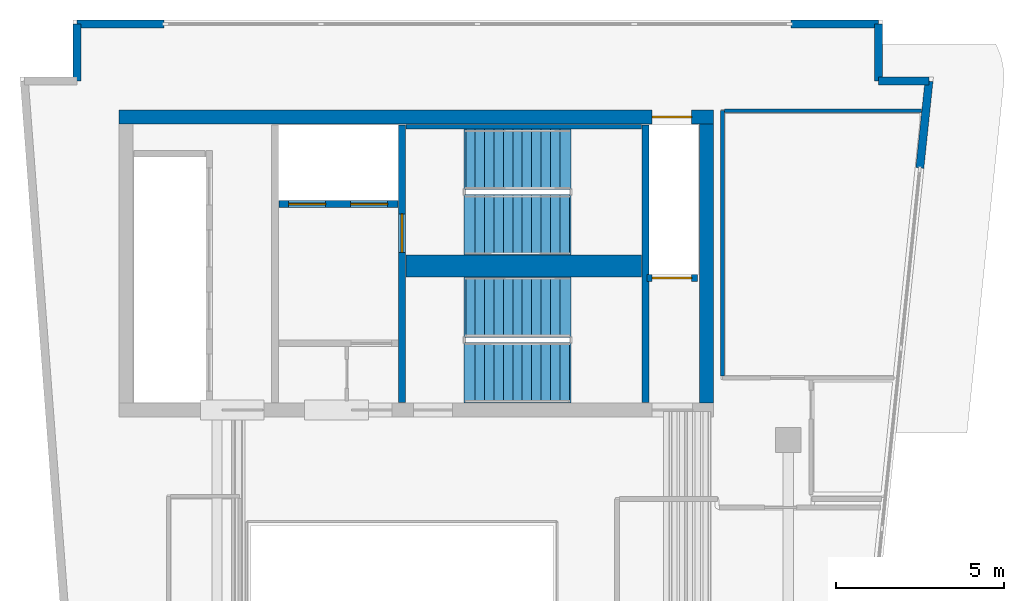
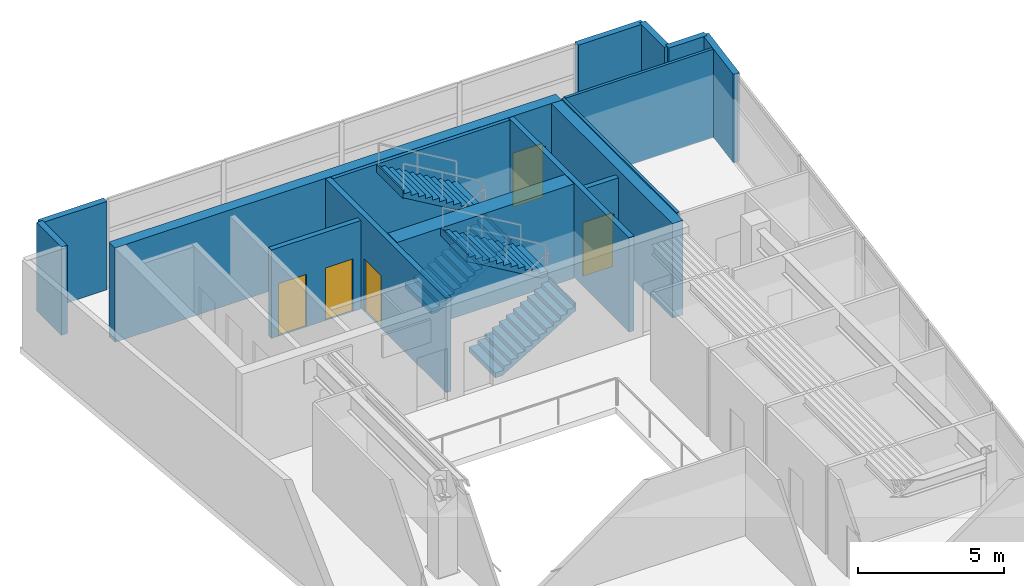
# One storey, part 4 of 6: 16 walls, 5 doors, 4 stair flights, 5 openings, 2 elements without a shape of their own.
"""IFC4 building model written with IfcOpenShell, lengths in metres."""

from ifc_helpers import new_model, si_unit, direction, frame, frame_2d, origin, place, context, subcontext, project, spatial, polyline, rectangle, outline, extrude, material, layer, layer_set, type_object, element, fill, aggregate, save


model = new_model("IFC4")

# Units and contexts
model_context = context("Model", 3, precision=1e-05, world=origin(), true_north=direction((0.0, 1.0)))
body_context = subcontext(model_context, "Body", "Model", "MODEL_VIEW")
ifc_project = project(units=[si_unit("LENGTHUNIT", "METRE"), si_unit("AREAUNIT", "SQUARE_METRE"), si_unit("VOLUMEUNIT", "CUBIC_METRE"), si_unit("PLANEANGLEUNIT", "RADIAN"), si_unit("MASSUNIT", "GRAM", prefix="KILO")], contexts=[model_context])

# Site, building, storey
site_placement = place(None, origin())
site = spatial("IfcSite", under=ifc_project, at=site_placement, CompositionType="ELEMENT")
building_placement = place(site_placement, origin())
building = spatial("IfcBuilding", under=site, at=building_placement, Name="Caeloran Harvest Quay", CompositionType="ELEMENT")
storey_placement = place(building_placement, frame((0.0, 0.0, 276.449951171875)))
storey = spatial("IfcBuildingStorey", under=building, at=storey_placement, Name="L66", CompositionType="ELEMENT", Elevation=276.449951171875)

# Walls
ifc_material_1 = material(Name="Precast concrete C50/60", Category="concrete")
ifc_layer_1 = layer(ifc_material_1, 0.239990234375, Name="Precast concrete C50/60")
ifc_layer_set_1 = layer_set([ifc_layer_1], Name="Precast concrete C50/60")
wall_type_1 = type_object("IfcWallType", Name="ENV-WALL-EW-240", PredefinedType="STANDARD", material=ifc_layer_set_1)
wall_1_placement = place(storey_placement, frame((4.320068359375, 41.679931640625, 0.0), z_axis=(0.0, 0.0, 1.0), x_axis=(0.0, 1.0, 0.0)))
element("IfcWall", 1, at=wall_1_placement, inside=storey, type_object=wall_type_1, Name="L66 Exterior Precast Concrete Facade Wall 5", PredefinedType="STANDARD", context=body_context, shape_type="SweptSolid", body=[
    extrude(rectangle(XDim=1.699951171875, YDim=0.239990234375, at=frame_2d((0.85009765625, 0.0))), origin(), (0.0, 0.0, 1.0), 3.699951171875),
])
for number, where, z_axis, x_axis, name in (
    (2, (4.320068359375, 43.3798828125, 0.0), (0.0, 0.0, 1.0), (1.0, 0.0, 0.0), "L66 Exterior Facade Corner Pier Wall 6A"),
    (3, (25.580078125, 43.3798828125, 0.0), (0.0, 0.0, 1.0), (1.0, 0.0, 0.0), "L66 Exterior Facade Corner Pier Wall 6B"),
):
    element("IfcWall", number, at=place(storey_placement, frame(where, z_axis=z_axis, x_axis=x_axis)), inside=storey, type_object=wall_type_1, Name=name, PredefinedType="STANDARD", context=body_context, shape_type="SweptSolid", body=[
        extrude(rectangle(XDim=2.599853515625, YDim=0.239990234375, at=frame_2d((1.2998046875, 0.0))), origin(), (0.0, 0.0, 1.0), 3.699951171875),
    ])
wall_2_placement = place(storey_placement, frame((28.179931640625, 43.3798828125, 0.0), z_axis=(0.0, 0.0, 1.0), x_axis=(0.0, -1.0, 0.0)))
element("IfcWall", 4, at=wall_2_placement, inside=storey, type_object=wall_type_1, Name="L66 Exterior Precast Concrete Facade Wall 7", PredefinedType="STANDARD", context=body_context, shape_type="SweptSolid", body=[
    extrude(rectangle(XDim=1.699951171875, YDim=0.239990234375, at=frame_2d((0.85009765625, 0.0))), origin(), (0.0, 0.0, 1.0), 3.699951171875),
])
wall_3_placement = place(storey_placement, frame((28.179931640625, 41.679931640625, 0.0), z_axis=(0.0, 0.0, 1.0), x_axis=(1.0, 0.0, 0.0)))
element("IfcWall", 5, at=wall_3_placement, inside=storey, type_object=wall_type_1, Name="L66 Exterior Precast Concrete Facade Wall 8", PredefinedType="STANDARD", context=body_context, shape_type="SweptSolid", body=[
    extrude(rectangle(XDim=1.508056640625, YDim=0.239990234375, at=frame_2d((0.75390625, 0.0))), origin(), (0.0, 0.0, 1.0), 3.699951171875),
])
wall_4_placement = place(storey_placement, frame((29.68798828125, 41.679931640625, 0.0), z_axis=(0.0, 0.0, 1.0), x_axis=(-0.104420821624, -0.994533203071, 0.0)))
element("IfcWall", 6, at=wall_4_placement, inside=storey, type_object=wall_type_1, Name="L66 Exterior Facade Corner Pier Wall 9A", PredefinedType="STANDARD", context=body_context, shape_type="SweptSolid", body=[
    extrude(rectangle(XDim=2.599853515625, YDim=0.239990234375, at=frame_2d((1.2998046875, 0.0))), origin(), (0.0, 0.0, 1.0), 3.699951171875),
])
ifc_material_2 = material(Name="Single-Stud Acoustic Gypsum Office Partition", Category="gypsum")
ifc_layer_2 = layer(ifc_material_2, 0.112060546875, Name="Single-Stud Acoustic Gypsum Office Partition")
ifc_layer_set_2 = layer_set([ifc_layer_2], Name="Single-Stud Acoustic Gypsum Office Partition")
wall_type_2 = type_object("IfcWallType", Name="INT-WALL-PW-112", PredefinedType="PARTITIONING", material=ifc_layer_set_2)
wall_5_placement = place(storey_placement, frame((23.5400390625, 32.90087890625, 0.0), z_axis=(0.0, 0.0, 1.0), x_axis=(0.0, 1.0, 0.0)))
element("IfcWall", 7, at=wall_5_placement, inside=storey, type_object=wall_type_2, Name="L66 Bioinformatics and Crop Phenotyping Laboratory Partition Wall", PredefinedType="PARTITIONING", context=body_context, shape_type="SweptSolid", body=[
    extrude(rectangle(XDim=7.899169921875, YDim=0.112060546875, at=frame_2d((3.94970703125, 0.0))), origin(), (0.0, 0.0, 1.0), 3.699951171875),
])
wall_6_placement = place(storey_placement, frame((23.60107421875, 40.800048828125, 0.0), z_axis=(0.0, 0.0, 1.0), x_axis=(1.0, 0.0, 0.0)))
element("IfcWall", 8, at=wall_6_placement, inside=storey, type_object=wall_type_2, Name="L66 Bioinformatics and Crop Phenotyping Laboratory Partition Wall", PredefinedType="PARTITIONING", context=body_context, shape_type="SweptSolid", body=[
    extrude(rectangle(XDim=5.868896484375, YDim=0.112060546875, at=frame_2d((2.9345703125, 0.0))), origin(), (0.0, 0.0, 1.0), 3.699951171875),
])

# Wall, openings, doors
ifc_material_3 = material(Name="Concrete C50/60", Category="concrete")
ifc_layer_3 = layer(ifc_material_3, 0.199951171875, Name="Concrete C50/60")
ifc_layer_set_3 = layer_set([ifc_layer_3], Name="Concrete C50/60")
wall_type_3 = type_object("IfcWallType", Name="INT-WALL-SW-200", PredefinedType="PARTITIONING", material=ifc_layer_set_3)
wall_7_placement = place(storey_placement, frame((10.340087890625, 38.02001953125, 0.0), z_axis=(0.0, 0.0, 1.0), x_axis=(1.0, 0.0, 0.0)))
wall_7 = element("IfcWall", 9, at=wall_7_placement, inside=storey, type_object=wall_type_3, Name="L66 Firefighting Lift Shaft Wall", PredefinedType="PARTITIONING", context=body_context, shape_type="SweptSolid", body=[
    extrude(rectangle(XDim=3.539794921875, YDim=0.199951171875, at=frame_2d((1.77001953125, 0.0))), origin(), (0.0, 0.0, 1.0), 3.699951171875),
])
opening_1_placement = place(wall_7_placement, frame((0.284912109375, 0.0, 0.0)))
opening_1 = element("IfcOpeningElement", 10, at=opening_1_placement, cuts=wall_7, Name="Opening LD-01", PredefinedType="OPENING", context=body_context, shape_type="SweptSolid", body=[
    extrude(rectangle(XDim=1.10009765625, YDim=2.199951171875, at=frame_2d((0.550048828125, 1.10009765625))), frame((0.0, 0.10986328125, 0.0), z_axis=(0.0, -1.0, 0.0), x_axis=(1.0, 0.0, 0.0)), (0.0, 0.0, 1.0), 0.219970703125),
])
opening_2_placement = place(wall_7_placement, frame((2.135009765625, 0.0, 0.0)))
opening_2 = element("IfcOpeningElement", 11, at=opening_2_placement, cuts=wall_7, Name="Opening LD-01", PredefinedType="OPENING", context=body_context, shape_type="SweptSolid", body=[
    extrude(rectangle(XDim=1.10009765625, YDim=2.199951171875, at=frame_2d((0.550048828125, 1.10009765625))), frame((0.0, 0.10986328125, 0.0), z_axis=(0.0, -1.0, 0.0), x_axis=(1.0, 0.0, 0.0)), (0.0, 0.0, 1.0), 0.219970703125),
])
ifc_material_4 = material(Name="Stainless Steel Grade 316", Category="steel")
door_type_1 = type_object("IfcDoorType", Name="INTDOOR-LD-01", OperationType="NOTDEFINED", PredefinedType="DOOR", material=ifc_material_4)
door_1_placement = place(opening_1_placement, origin())
door_1 = element("IfcDoor", 12, at=door_1_placement, inside=storey, type_object=door_type_1, Name="Lift FF-1 Sliding Landing Door (L66)", OperationType="DOUBLE_DOOR_SLIDING", OverallHeight=2.199951171875, OverallWidth=1.10009765625, PredefinedType="DOOR", context=body_context, shape_type="SweptSolid", body=[
    extrude(rectangle(XDim=1.10009765625, YDim=2.199951171875, at=frame_2d((0.550048828125, 1.10009765625))), frame((0.0, 0.02490234375, 0.0), z_axis=(0.0, -1.0, 0.0), x_axis=(1.0, 0.0, 0.0)), (0.0, 0.0, 1.0), 0.050048828125),
])
fill(opening_1, door_1)
door_2_placement = place(opening_2_placement, origin())
door_2 = element("IfcDoor", 13, at=door_2_placement, inside=storey, type_object=door_type_1, Name="Lift FF-2 Sliding Landing Door (L66)", OperationType="DOUBLE_DOOR_SLIDING", OverallHeight=2.199951171875, OverallWidth=1.10009765625, PredefinedType="DOOR", context=body_context, shape_type="SweptSolid", body=[
    extrude(rectangle(XDim=1.10009765625, YDim=2.199951171875, at=frame_2d((0.550048828125, 1.10009765625))), frame((0.0, 0.02490234375, 0.0), z_axis=(0.0, -1.0, 0.0), x_axis=(1.0, 0.0, 0.0)), (0.0, 0.0, 1.0), 0.050048828125),
])
fill(opening_2, door_2)

# Wall, opening, door
wall_8_placement = place(storey_placement, frame((21.300048828125, 35.820068359375, 0.0), z_axis=(0.0, 0.0, 1.0), x_axis=(1.0, 0.0, 0.0)))
wall_8 = element("IfcWall", 14, at=wall_8_placement, inside=storey, type_object=wall_type_3, Name="L66 Service Lift SV-2 Shaft Wall", PredefinedType="PARTITIONING", context=body_context, shape_type="SweptSolid", body=[
    extrude(rectangle(XDim=1.5, YDim=0.199951171875, at=frame_2d((0.75, 0.0))), origin(), (0.0, 0.0, 1.0), 3.699951171875),
])
opening_3_placement = place(wall_8_placement, frame((0.14501953125, 0.0, 0.0)))
opening_3 = element("IfcOpeningElement", 15, at=opening_3_placement, cuts=wall_8, Name="Opening LD-02", PredefinedType="OPENING", context=body_context, shape_type="SweptSolid", body=[
    extrude(rectangle(XDim=1.179931640625, YDim=2.25, at=frame_2d((0.58984375, 1.125))), frame((0.0, 0.10986328125, 0.0), z_axis=(0.0, -1.0, 0.0), x_axis=(1.0, 0.0, 0.0)), (0.0, 0.0, 1.0), 0.219970703125),
])
door_type_2 = type_object("IfcDoorType", Name="INTDOOR-LD-02", OperationType="NOTDEFINED", PredefinedType="DOOR", material=ifc_material_4)
door_3_placement = place(opening_3_placement, origin())
door_3 = element("IfcDoor", 16, at=door_3_placement, inside=storey, type_object=door_type_2, Name="Lift SV-2 Sliding Landing Door (L66)", OperationType="DOUBLE_DOOR_SLIDING", OverallHeight=2.25, OverallWidth=1.179931640625, PredefinedType="DOOR", context=body_context, shape_type="SweptSolid", body=[
    extrude(rectangle(XDim=1.179931640625, YDim=2.25, at=frame_2d((0.58984375, 1.125))), frame((0.0, 0.02490234375, 0.0), z_axis=(0.0, -1.0, 0.0), x_axis=(1.0, 0.0, 0.0)), (0.0, 0.0, 1.0), 0.050048828125),
])
fill(opening_3, door_3)

ifc_material_5 = material(Name="Concrete C60/75", Category="concrete")
ifc_layer_4 = layer(ifc_material_5, 0.419921875, Name="Concrete C60/75")
ifc_layer_set_4 = layer_set([ifc_layer_4], Name="Concrete C60/75")
wall_type_4 = type_object("IfcWallType", Name="STR-WALL-CW-420", PredefinedType="SHEAR", material=ifc_layer_set_4)
wall_9_placement = place(storey_placement, frame((5.580078125, 40.610107421875, 0.0), z_axis=(0.0, 0.0, 1.0), x_axis=(1.0, 0.0, 0.0)))
wall_9 = element("IfcWall", 17, at=wall_9_placement, inside=storey, type_object=wall_type_4, Name="L66 Rear Core Shear Wall N", PredefinedType="SHEAR", context=body_context, shape_type="SweptSolid", body=[
    extrude(rectangle(XDim=17.68994140625, YDim=0.419921875, at=frame_2d((8.844970703125, 0.0))), origin(), (0.0, 0.0, 1.0), 3.949951171875),
])
opening_4_placement = place(wall_9_placement, frame((15.864990234375, 0.0, 0.0)))
opening_4 = element("IfcOpeningElement", 18, at=opening_4_placement, cuts=wall_9, Name="Opening LD-02", PredefinedType="OPENING", context=body_context, shape_type="SweptSolid", body=[
    extrude(rectangle(XDim=1.179931640625, YDim=2.25, at=frame_2d((0.58984375, 1.125))), frame((0.0, 0.219970703125, 0.0), z_axis=(0.0, -1.0, 0.0), x_axis=(1.0, 0.0, 0.0)), (0.0, 0.0, 1.0), 0.43994140625),
])
door_4_placement = place(opening_4_placement, origin())
door_4 = element("IfcDoor", 19, at=door_4_placement, inside=storey, type_object=door_type_2, Name="Lift SV-1 Sliding Landing Door (L66)", OperationType="DOUBLE_DOOR_SLIDING", OverallHeight=2.25, OverallWidth=1.179931640625, PredefinedType="DOOR", context=body_context, shape_type="SweptSolid", body=[
    extrude(rectangle(XDim=1.179931640625, YDim=2.25, at=frame_2d((0.58984375, 1.125))), frame((0.0, 0.02490234375, 0.0), z_axis=(0.0, -1.0, 0.0), x_axis=(1.0, 0.0, 0.0)), (0.0, 0.0, 1.0), 0.050048828125),
])
fill(opening_4, door_4)

# Walls
wall_10_placement = place(storey_placement, frame((23.06005859375, 32.10009765625, 0.0), z_axis=(0.0, 0.0, 1.0), x_axis=(0.0, 1.0, 0.0)))
element("IfcWall", 20, at=wall_10_placement, inside=storey, type_object=wall_type_4, Name="L66 Rear Core Shear Wall E", PredefinedType="SHEAR", context=body_context, shape_type="SweptSolid", body=[
    extrude(rectangle(XDim=8.2998046875, YDim=0.419921875, at=frame_2d((4.14990234375, 0.0))), origin(), (0.0, 0.0, 1.0), 3.949951171875),
])
ifc_layer_5 = layer(ifc_material_5, 0.64990234375, Name="Concrete C60/75")
ifc_layer_set_5 = layer_set([ifc_layer_5], Name="Concrete C60/75")
wall_type_5 = type_object("IfcWallType", Name="STR-WALL-CW-650", PredefinedType="SHEAR", material=ifc_layer_set_5)
wall_11_placement = place(storey_placement, frame((14.1201171875, 36.175048828125, 0.0), z_axis=(0.0, 0.0, 1.0), x_axis=(1.0, 0.0, 0.0)))
element("IfcWall", 21, at=wall_11_placement, inside=storey, type_object=wall_type_5, Name="L66 Core Stairs Dividing Shear Wall", PredefinedType="SHEAR", context=body_context, shape_type="SweptSolid", body=[
    extrude(rectangle(XDim=7.009765625, YDim=0.64990234375, at=frame_2d((3.5048828125, 0.0))), origin(), (0.0, 0.0, 1.0), 3.949951171875),
])
ifc_layer_6 = layer(ifc_material_5, 0.139892578125, Name="Concrete C60/75")
ifc_layer_set_6 = layer_set([ifc_layer_6], Name="Concrete C60/75")
wall_type_6 = type_object("IfcWallType", Name="STR-WALL-SW-140", PredefinedType="SHEAR", material=ifc_layer_set_6)
wall_12_placement = place(storey_placement, frame((14.1201171875, 40.320068359375, 0.0), z_axis=(0.0, 0.0, 1.0), x_axis=(1.0, 0.0, 0.0)))
element("IfcWall", 22, at=wall_12_placement, inside=storey, type_object=wall_type_6, Name="L66 Core Stair ST-C1 North Bearing Shear Wall", PredefinedType="SHEAR", context=body_context, shape_type="SweptSolid", body=[
    extrude(rectangle(XDim=7.009765625, YDim=0.139892578125, at=frame_2d((3.5048828125, 0.0))), origin(), (0.0, 0.0, 1.0), 3.949951171875),
])

# Wall, opening, door
ifc_layer_7 = layer(ifc_material_5, 0.199951171875, Name="Concrete C60/75")
ifc_layer_set_7 = layer_set([ifc_layer_7], Name="Concrete C60/75")
wall_type_7 = type_object("IfcWallType", Name="STR-WALL-SW-200", PredefinedType="SHEAR", material=ifc_layer_set_7)
wall_13_placement = place(storey_placement, frame((14.0, 32.1201171875, 0.0), z_axis=(0.0, 0.0, 1.0), x_axis=(0.0, 1.0, 0.0)))
wall_13 = element("IfcWall", 23, at=wall_13_placement, inside=storey, type_object=wall_type_7, Name="L66 Core Stair Shaft West Shear Wall", PredefinedType="SHEAR", context=body_context, shape_type="SweptSolid", body=[
    extrude(rectangle(XDim=8.259765625, YDim=0.199951171875, at=frame_2d((4.1298828125, 0.0))), origin(), (0.0, 0.0, 1.0), 3.949951171875),
])
opening_5_placement = place(wall_13_placement, frame((4.4599609375, 0.0, 0.0)))
opening_5 = element("IfcOpeningElement", 24, at=opening_5_placement, cuts=wall_13, Name="Opening SD-01", PredefinedType="OPENING", context=body_context, shape_type="SweptSolid", body=[
    extrude(rectangle(XDim=1.14990234375, YDim=2.199951171875, at=frame_2d((0.574951171875, 1.10009765625))), frame((0.0, 0.10986328125, 0.0), z_axis=(0.0, -1.0, 0.0), x_axis=(1.0, 0.0, 0.0)), (0.0, 0.0, 1.0), 0.219970703125),
])
ifc_material_6 = material(Name="Steel", Category="steel")
door_type_3 = type_object("IfcDoorType", Name="INTDOOR-SD-01", OperationType="NOTDEFINED", PredefinedType="DOOR", material=ifc_material_6)
door_5_placement = place(opening_5_placement, origin())
door_5 = element("IfcDoor", 25, at=door_5_placement, inside=storey, type_object=door_type_3, Name="L66 Protected Stair ST-C1 Exit Door", OperationType="SINGLE_SWING_LEFT", OverallHeight=2.199951171875, OverallWidth=1.14990234375, PredefinedType="DOOR", context=body_context, shape_type="SweptSolid", body=[
    extrude(rectangle(XDim=1.14990234375, YDim=2.199951171875, at=frame_2d((0.574951171875, 1.10009765625))), frame((0.0, 0.02490234375, 0.0), z_axis=(0.0, -1.0, 0.0), x_axis=(1.0, 0.0, 0.0)), (0.0, 0.0, 1.0), 0.050048828125),
])
fill(opening_5, door_5)

# Wall
wall_14_placement = place(storey_placement, frame((21.25, 32.1201171875, 0.0), z_axis=(0.0, 0.0, 1.0), x_axis=(0.0, 1.0, 0.0)))
element("IfcWall", 26, at=wall_14_placement, inside=storey, type_object=wall_type_7, Name="L66 Core Stair Shaft East Shear Wall", PredefinedType="SHEAR", context=body_context, shape_type="SweptSolid", body=[
    extrude(rectangle(XDim=8.259765625, YDim=0.199951171875, at=frame_2d((4.1298828125, 0.0))), origin(), (0.0, 0.0, 1.0), 3.949951171875),
])

# Stair, stair flights
stair_type = type_object("IfcStairType", Name="STAIR-STC-180", PredefinedType="HALF_TURN_STAIR", material=ifc_material_3)
stair_1_placement = place(storey_placement, origin())
stair_1 = element("IfcStair", 27, at=stair_1_placement, inside=storey, type_object=stair_type, Name="L66 Core Pressurized Exit Stair ST-C1", PredefinedType="HALF_TURN_STAIR")
stair_flight_type = type_object("IfcStairFlightType", Name="FLIGHT-STC-180", PredefinedType="STRAIGHT", material=ifc_material_3)
stair_flight_1_placement = place(storey_placement, frame((15.89990234375, 37.39990234375, 0.0), z_axis=(0.0, 0.0, 1.0), x_axis=(1.0, 0.0, 0.0)))
stair_flight_1 = element("IfcStairFlight", 28, at=stair_flight_1_placement, type_object=stair_flight_type, Name="ST-C1 flight 1", NumberOfRisers=12, NumberOfTreads=11, PredefinedType="STRAIGHT", RiserHeight=0.164583333, TreadLength=0.28, context=body_context, shape_type="SweptSolid", body=[
    extrude(outline(polyline([(-0.054931640625, -0.044921875), (-0.054931640625, -0.031982421875), (-0.054931640625, -0.018798828125), (-0.054931640625, -0.005615234375), (-0.054931640625, 0.00732421875), (-0.054931640625, 0.0205078125), (-0.054931640625, 0.03369140625), (-0.054931640625, 0.046630859375), (-0.054931640625, 0.059814453125), (-0.054931640625, 0.072998046875), (-0.054931640625, 0.0859375), (-0.054931640625, 0.09912109375), (-0.054931640625, 0.1123046875), (-0.054931640625, 0.125244140625), (-0.054931640625, 0.138427734375), (-0.054931640625, 0.1513671875), (-0.054931640625, 0.16455078125), (0.280029296875, 0.16455078125), (0.280029296875, 0.3291015625), (0.56005859375, 0.3291015625), (0.56005859375, 0.49365234375), (0.840087890625, 0.49365234375), (0.840087890625, 0.658447265625), (1.1201171875, 0.658447265625), (1.1201171875, 0.822998046875), (1.39990234375, 0.822998046875), (1.39990234375, 0.987548828125), (1.679931640625, 0.987548828125), (1.679931640625, 1.152099609375), (1.9599609375, 1.152099609375), (1.9599609375, 1.316650390625), (2.239990234375, 1.316650390625), (2.239990234375, 1.481201171875), (2.52001953125, 1.481201171875), (2.52001953125, 1.645751953125), (2.800048828125, 1.645751953125), (2.800048828125, 1.810302734375), (3.080078125, 1.810302734375), (3.080078125, 1.97509765625), (3.135009765625, 1.97509765625), (3.135009765625, 1.953857421875), (3.135009765625, 1.9326171875), (3.135009765625, 1.91162109375), (3.135009765625, 1.890380859375), (3.135009765625, 1.869140625), (3.135009765625, 1.84814453125), (3.135009765625, 1.826904296875), (3.135009765625, 1.8056640625), (3.135009765625, 1.78466796875), (3.135009765625, 1.763427734375), (3.135009765625, 1.7421875), (3.135009765625, 1.72119140625), (3.135009765625, 1.699951171875), (3.135009765625, 1.678955078125), (3.135009765625, 1.65771484375), (3.135009765625, 1.636474609375), (3.080078125, 1.636474609375), (0.21923828125, -0.044921875), (-0.054931640625, -0.044921875)])), frame((0.0, 0.89990234375, 0.0), z_axis=(0.0, -1.0, 0.0), x_axis=(1.0, 0.0, 0.0)), (0.0, 0.0, 1.0), 1.800048828125),
])
stair_flight_2_placement = place(storey_placement, frame((18.97998046875, 39.35009765625, 1.97509765625), z_axis=(0.0, 0.0, 1.0), x_axis=(-1.0, 0.0, 0.0)))
stair_flight_2 = element("IfcStairFlight", 29, at=stair_flight_2_placement, type_object=stair_flight_type, Name="ST-C1 flight 2", NumberOfRisers=12, NumberOfTreads=11, PredefinedType="STRAIGHT", RiserHeight=0.164583333, TreadLength=0.28, context=body_context, shape_type="SweptSolid", body=[
    extrude(outline(polyline([(-0.054931640625, -0.044921875), (-0.054931640625, -0.031982421875), (-0.054931640625, -0.018798828125), (-0.054931640625, -0.005615234375), (-0.054931640625, 0.00732421875), (-0.054931640625, 0.0205078125), (-0.054931640625, 0.03369140625), (-0.054931640625, 0.046630859375), (-0.054931640625, 0.059814453125), (-0.054931640625, 0.072998046875), (-0.054931640625, 0.0859375), (-0.054931640625, 0.09912109375), (-0.054931640625, 0.1123046875), (-0.054931640625, 0.125244140625), (-0.054931640625, 0.138427734375), (-0.054931640625, 0.1513671875), (-0.054931640625, 0.16455078125), (0.280029296875, 0.16455078125), (0.280029296875, 0.3291015625), (0.56005859375, 0.3291015625), (0.56005859375, 0.49365234375), (0.840087890625, 0.49365234375), (0.840087890625, 0.658447265625), (1.1201171875, 0.658447265625), (1.1201171875, 0.822998046875), (1.39990234375, 0.822998046875), (1.39990234375, 0.987548828125), (1.679931640625, 0.987548828125), (1.679931640625, 1.152099609375), (1.9599609375, 1.152099609375), (1.9599609375, 1.316650390625), (2.239990234375, 1.316650390625), (2.239990234375, 1.481201171875), (2.52001953125, 1.481201171875), (2.52001953125, 1.645751953125), (2.800048828125, 1.645751953125), (2.800048828125, 1.810302734375), (3.080078125, 1.810302734375), (3.080078125, 1.97509765625), (3.135009765625, 1.97509765625), (3.135009765625, 1.953857421875), (3.135009765625, 1.9326171875), (3.135009765625, 1.91162109375), (3.135009765625, 1.890380859375), (3.135009765625, 1.869140625), (3.135009765625, 1.84814453125), (3.135009765625, 1.826904296875), (3.135009765625, 1.8056640625), (3.135009765625, 1.78466796875), (3.135009765625, 1.763427734375), (3.135009765625, 1.7421875), (3.135009765625, 1.72119140625), (3.135009765625, 1.699951171875), (3.135009765625, 1.678955078125), (3.135009765625, 1.65771484375), (3.135009765625, 1.636474609375), (3.080078125, 1.636474609375), (0.21923828125, -0.044921875), (-0.054931640625, -0.044921875)])), frame((0.0, 0.89990234375, 0.0), z_axis=(0.0, -1.0, 0.0), x_axis=(1.0, 0.0, 0.0)), (0.0, 0.0, 1.0), 1.800048828125),
])
aggregate(stair_1, [stair_flight_1, stair_flight_2])

stair_2_placement = place(storey_placement, origin())
stair_2 = element("IfcStair", 30, at=stair_2_placement, inside=storey, type_object=stair_type, Name="L66 Core Pressurized Exit Stair ST-C2", PredefinedType="HALF_TURN_STAIR")
stair_flight_3_placement = place(storey_placement, frame((15.89990234375, 33.0, 0.0), z_axis=(0.0, 0.0, 1.0), x_axis=(1.0, 0.0, 0.0)))
stair_flight_3 = element("IfcStairFlight", 31, at=stair_flight_3_placement, type_object=stair_flight_type, Name="ST-C2 flight 1", NumberOfRisers=12, NumberOfTreads=11, PredefinedType="STRAIGHT", RiserHeight=0.164583333, TreadLength=0.28, context=body_context, shape_type="SweptSolid", body=[
    extrude(outline(polyline([(-0.054931640625, -0.044921875), (-0.054931640625, -0.031982421875), (-0.054931640625, -0.018798828125), (-0.054931640625, -0.005615234375), (-0.054931640625, 0.00732421875), (-0.054931640625, 0.0205078125), (-0.054931640625, 0.03369140625), (-0.054931640625, 0.046630859375), (-0.054931640625, 0.059814453125), (-0.054931640625, 0.072998046875), (-0.054931640625, 0.0859375), (-0.054931640625, 0.09912109375), (-0.054931640625, 0.1123046875), (-0.054931640625, 0.125244140625), (-0.054931640625, 0.138427734375), (-0.054931640625, 0.1513671875), (-0.054931640625, 0.16455078125), (0.280029296875, 0.16455078125), (0.280029296875, 0.3291015625), (0.56005859375, 0.3291015625), (0.56005859375, 0.49365234375), (0.840087890625, 0.49365234375), (0.840087890625, 0.658447265625), (1.1201171875, 0.658447265625), (1.1201171875, 0.822998046875), (1.39990234375, 0.822998046875), (1.39990234375, 0.987548828125), (1.679931640625, 0.987548828125), (1.679931640625, 1.152099609375), (1.9599609375, 1.152099609375), (1.9599609375, 1.316650390625), (2.239990234375, 1.316650390625), (2.239990234375, 1.481201171875), (2.52001953125, 1.481201171875), (2.52001953125, 1.645751953125), (2.800048828125, 1.645751953125), (2.800048828125, 1.810302734375), (3.080078125, 1.810302734375), (3.080078125, 1.97509765625), (3.135009765625, 1.97509765625), (3.135009765625, 1.953857421875), (3.135009765625, 1.9326171875), (3.135009765625, 1.91162109375), (3.135009765625, 1.890380859375), (3.135009765625, 1.869140625), (3.135009765625, 1.84814453125), (3.135009765625, 1.826904296875), (3.135009765625, 1.8056640625), (3.135009765625, 1.78466796875), (3.135009765625, 1.763427734375), (3.135009765625, 1.7421875), (3.135009765625, 1.72119140625), (3.135009765625, 1.699951171875), (3.135009765625, 1.678955078125), (3.135009765625, 1.65771484375), (3.135009765625, 1.636474609375), (3.080078125, 1.636474609375), (0.21923828125, -0.044921875), (-0.054931640625, -0.044921875)])), frame((0.0, 0.89990234375, 0.0), z_axis=(0.0, -1.0, 0.0), x_axis=(1.0, 0.0, 0.0)), (0.0, 0.0, 1.0), 1.800048828125),
])
stair_flight_4_placement = place(storey_placement, frame((18.97998046875, 34.949951171875, 1.97509765625), z_axis=(0.0, 0.0, 1.0), x_axis=(-1.0, 0.0, 0.0)))
stair_flight_4 = element("IfcStairFlight", 32, at=stair_flight_4_placement, type_object=stair_flight_type, Name="ST-C2 flight 2", NumberOfRisers=12, NumberOfTreads=11, PredefinedType="STRAIGHT", RiserHeight=0.164583333, TreadLength=0.28, context=body_context, shape_type="SweptSolid", body=[
    extrude(outline(polyline([(-0.054931640625, -0.044921875), (-0.054931640625, -0.031982421875), (-0.054931640625, -0.018798828125), (-0.054931640625, -0.005615234375), (-0.054931640625, 0.00732421875), (-0.054931640625, 0.0205078125), (-0.054931640625, 0.03369140625), (-0.054931640625, 0.046630859375), (-0.054931640625, 0.059814453125), (-0.054931640625, 0.072998046875), (-0.054931640625, 0.0859375), (-0.054931640625, 0.09912109375), (-0.054931640625, 0.1123046875), (-0.054931640625, 0.125244140625), (-0.054931640625, 0.138427734375), (-0.054931640625, 0.1513671875), (-0.054931640625, 0.16455078125), (0.280029296875, 0.16455078125), (0.280029296875, 0.3291015625), (0.56005859375, 0.3291015625), (0.56005859375, 0.49365234375), (0.840087890625, 0.49365234375), (0.840087890625, 0.658447265625), (1.1201171875, 0.658447265625), (1.1201171875, 0.822998046875), (1.39990234375, 0.822998046875), (1.39990234375, 0.987548828125), (1.679931640625, 0.987548828125), (1.679931640625, 1.152099609375), (1.9599609375, 1.152099609375), (1.9599609375, 1.316650390625), (2.239990234375, 1.316650390625), (2.239990234375, 1.481201171875), (2.52001953125, 1.481201171875), (2.52001953125, 1.645751953125), (2.800048828125, 1.645751953125), (2.800048828125, 1.810302734375), (3.080078125, 1.810302734375), (3.080078125, 1.97509765625), (3.135009765625, 1.97509765625), (3.135009765625, 1.953857421875), (3.135009765625, 1.9326171875), (3.135009765625, 1.91162109375), (3.135009765625, 1.890380859375), (3.135009765625, 1.869140625), (3.135009765625, 1.84814453125), (3.135009765625, 1.826904296875), (3.135009765625, 1.8056640625), (3.135009765625, 1.78466796875), (3.135009765625, 1.763427734375), (3.135009765625, 1.7421875), (3.135009765625, 1.72119140625), (3.135009765625, 1.699951171875), (3.135009765625, 1.678955078125), (3.135009765625, 1.65771484375), (3.135009765625, 1.636474609375), (3.080078125, 1.636474609375), (0.21923828125, -0.044921875), (-0.054931640625, -0.044921875)])), frame((0.0, 0.89990234375, 0.0), z_axis=(0.0, -1.0, 0.0), x_axis=(1.0, 0.0, 0.0)), (0.0, 0.0, 1.0), 1.800048828125),
])
aggregate(stair_2, [stair_flight_3, stair_flight_4])

save(model, "model.ifc")
